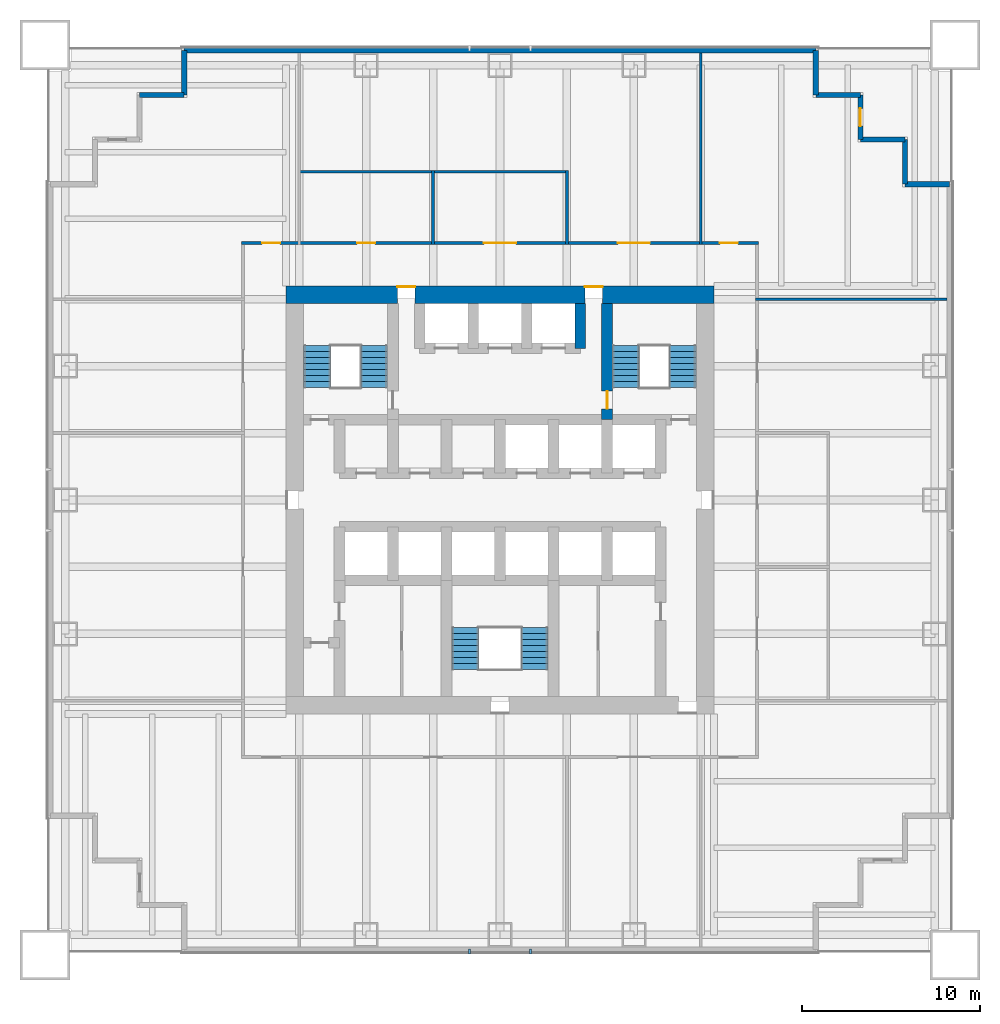
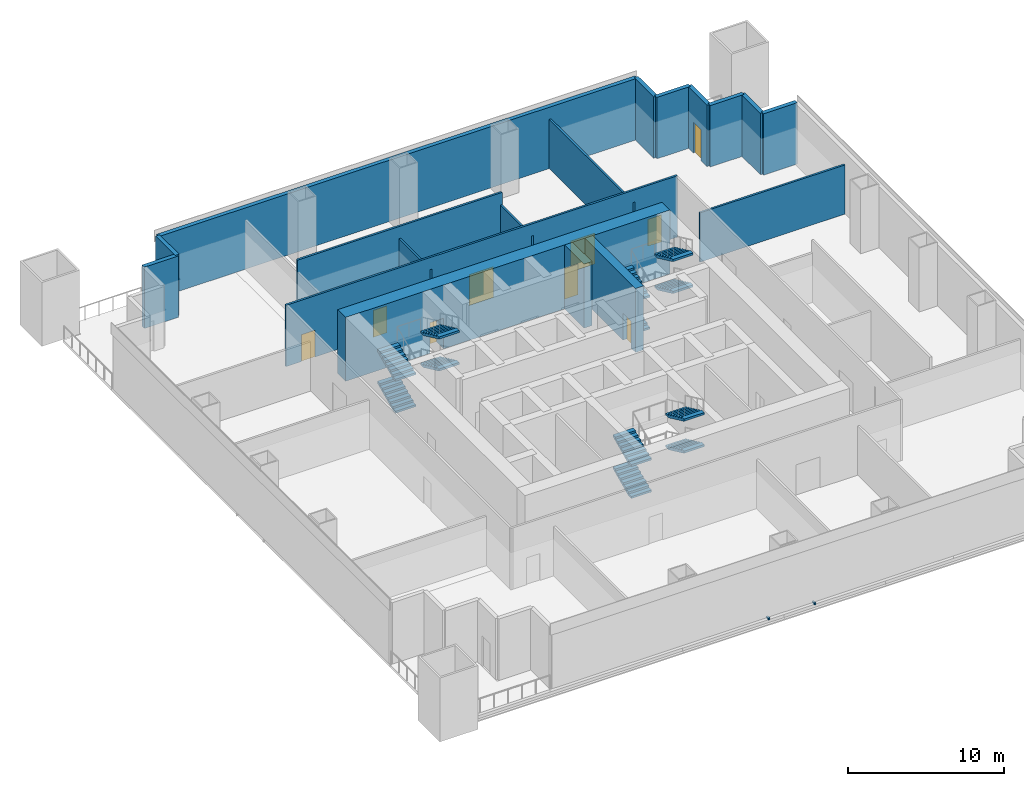
# One storey, part 4 of 7: 18 walls, 12 stair flights, 9 doors, 2 discrete accessories, 9 openings, 3 elements without a shape of their own.
"""IFC4 building model written with IfcOpenShell, lengths in metres."""

from ifc_helpers import new_model, si_unit, direction, frame, frame_2d, origin, origin_2d, place, context, subcontext, project, spatial, polyline, rectangle, outline, extrude, material, layer, layer_set, type_object, element, fill, aggregate, save


model = new_model("IFC4")

# Units and contexts
model_context = context("Model", 3, precision=1e-05, world=origin(), true_north=direction((0.0, 1.0)))
body_context = subcontext(model_context, "Body", "Model", "MODEL_VIEW")
ifc_project = project(units=[si_unit("LENGTHUNIT", "METRE"), si_unit("AREAUNIT", "SQUARE_METRE"), si_unit("VOLUMEUNIT", "CUBIC_METRE"), si_unit("PLANEANGLEUNIT", "RADIAN"), si_unit("MASSUNIT", "GRAM", prefix="KILO")], contexts=[model_context])

# Site, building, storey
site_placement = place(None, origin())
site = spatial("IfcSite", under=ifc_project, at=site_placement, CompositionType="ELEMENT")
building_placement = place(site_placement, origin())
building = spatial("IfcBuilding", under=site, at=building_placement, Name="Tarangal Relay Tower", CompositionType="ELEMENT")
storey_placement = place(building_placement, frame((0.0, 0.0, 43.39990234375)))
storey = spatial("IfcBuildingStorey", under=building, at=storey_placement, Name="L08", CompositionType="ELEMENT", Elevation=43.39990234375)

# Wall, opening, door
ifc_material_1 = material(Name="Concrete fc' 60 MPa", Category="concrete")
ifc_layer_1 = layer(ifc_material_1, 0.60009765625)
ifc_layer_set_1 = layer_set([ifc_layer_1], Name="Core inner wall 600")
wall_type_1 = type_object("IfcWallType", Name="Core inner wall 600", PredefinedType="SHEAR", material=ifc_layer_set_1)
wall_1_placement = place(storey_placement, frame((6.0, 4.5, 0.0), z_axis=(0.0, 0.0, 1.0), x_axis=(0.0, 1.0, 0.0)))
wall_1 = element("IfcWall", 1, at=wall_1_placement, inside=storey, type_object=wall_type_1, Name="Core wall X6 L08", PredefinedType="SHEAR", context=body_context, shape_type="SweptSolid", body=[
    extrude(rectangle(XDim=6.5, YDim=0.60009765625, at=frame_2d((3.25, 0.0))), origin(), (0.0, 0.0, 1.0), 5.0),
])
opening_1_placement = place(wall_1_placement, frame((0.60009765625, 0.0, 0.0)))
opening_1 = element("IfcOpeningElement", 2, at=opening_1_placement, cuts=wall_1, Name="Opening FD1", PredefinedType="OPENING", context=body_context, shape_type="SweptSolid", body=[
    extrude(rectangle(XDim=1.0, YDim=2.10009765625, at=frame_2d((0.5, 1.050048828125))), frame((0.0, 0.31005859375, 0.0), z_axis=(0.0, -1.0, 0.0), x_axis=(1.0, 0.0, 0.0)), (0.0, 0.0, 1.0), 0.6201171875),
])
ifc_material_2 = material(Name="Steel door with hardwood frame", Category="steel")
door_type_1 = type_object("IfcDoorType", Name="Fire door 1000 x 2100", OperationType="SINGLE_SWING_LEFT", PredefinedType="DOOR", material=ifc_material_2)
door_1_placement = place(opening_1_placement, origin())
door_1 = element("IfcDoor", 3, at=door_1_placement, inside=storey, type_object=door_type_1, Name="Stair ST-B door from fire-fighting lobby L08", OperationType="SINGLE_SWING_LEFT", OverallHeight=2.10009765625, OverallWidth=1.0, PredefinedType="DOOR", context=body_context, shape_type="SweptSolid", body=[
    extrude(rectangle(XDim=1.0, YDim=2.10009765625, at=frame_2d((0.5, 1.050048828125))), frame((0.0, 0.02490234375, 0.0), z_axis=(0.0, -1.0, 0.0), x_axis=(1.0, 0.0, 0.0)), (0.0, 0.0, 1.0), 0.050048828125),
])
fill(opening_1, door_1)

# Wall
wall_2_placement = place(storey_placement, frame((4.5, 8.5, 0.0), z_axis=(0.0, 0.0, 1.0), x_axis=(0.0, 1.0, 0.0)))
element("IfcWall", 4, at=wall_2_placement, inside=storey, type_object=wall_type_1, Name="Core wall X45 L08", PredefinedType="SHEAR", context=body_context, shape_type="SweptSolid", body=[
    extrude(rectangle(XDim=2.5, YDim=0.60009765625, at=frame_2d((1.25, 0.0))), origin(), (0.0, 0.0, 1.0), 5.0),
])

# Wall, openings, doors
ifc_layer_2 = layer(ifc_material_1, 1.0)
ifc_layer_set_2 = layer_set([ifc_layer_2], Name="Core wall 1000")
wall_type_2 = type_object("IfcWallType", Name="Core wall 1000", PredefinedType="SHEAR", material=ifc_layer_set_2)
wall_3_placement = place(storey_placement, frame((-12.0, 11.5, 0.0), z_axis=(0.0, 0.0, 1.0), x_axis=(1.0, 0.0, 0.0)))
wall_3 = element("IfcWall", 5, at=wall_3_placement, inside=storey, type_object=wall_type_2, Name="Core wall N L08", PredefinedType="SHEAR", context=body_context, shape_type="SweptSolid", body=[
    extrude(rectangle(XDim=24.0, YDim=1.0, at=frame_2d((12.0, 0.0))), origin(), (0.0, 0.0, 1.0), 5.0),
])
opening_2_placement = place(wall_3_placement, frame((6.25, 0.0, 0.0)))
opening_2 = element("IfcOpeningElement", 6, at=opening_2_placement, cuts=wall_3, Name="Opening FD3", PredefinedType="OPENING", context=body_context, shape_type="SweptSolid", body=[
    extrude(rectangle(XDim=1.0, YDim=2.39990234375, at=frame_2d((0.5, 1.199951171875))), frame((0.0, 0.510009765625, 0.0), z_axis=(0.0, -1.0, 0.0), x_axis=(1.0, 0.0, 0.0)), (0.0, 0.0, 1.0), 1.02001953125),
])
opening_3_placement = place(wall_3_placement, frame((16.75, 0.0, 0.0)))
opening_3 = element("IfcOpeningElement", 7, at=opening_3_placement, cuts=wall_3, Name="Opening FD3", PredefinedType="OPENING", context=body_context, shape_type="SweptSolid", body=[
    extrude(rectangle(XDim=1.0, YDim=2.39990234375, at=frame_2d((0.5, 1.199951171875))), frame((0.0, 0.510009765625, 0.0), z_axis=(0.0, -1.0, 0.0), x_axis=(1.0, 0.0, 0.0)), (0.0, 0.0, 1.0), 1.02001953125),
])
door_type_2 = type_object("IfcDoorType", Name="Fire door 1000 x 2400 core entry", OperationType="SINGLE_SWING_RIGHT", PredefinedType="DOOR", material=ifc_material_2)
door_2_placement = place(opening_2_placement, origin())
door_2 = element("IfcDoor", 8, at=door_2_placement, inside=storey, type_object=door_type_2, Name="Core entry door north west L08", OperationType="SINGLE_SWING_RIGHT", OverallHeight=2.39990234375, OverallWidth=1.0, PredefinedType="DOOR", context=body_context, shape_type="SweptSolid", body=[
    extrude(rectangle(XDim=1.0, YDim=2.39990234375, at=frame_2d((0.5, 1.199951171875))), frame((0.0, 0.48486328125, 0.0), z_axis=(0.0, -1.0, 0.0), x_axis=(1.0, 0.0, 0.0)), (0.0, 0.0, 1.0), 0.050048828125),
])
fill(opening_2, door_2)
door_3_placement = place(opening_3_placement, origin())
door_3 = element("IfcDoor", 9, at=door_3_placement, inside=storey, type_object=door_type_2, Name="Core entry door north east L08", OperationType="SINGLE_SWING_RIGHT", OverallHeight=2.39990234375, OverallWidth=1.0, PredefinedType="DOOR", context=body_context, shape_type="SweptSolid", body=[
    extrude(rectangle(XDim=1.0, YDim=2.39990234375, at=frame_2d((0.5, 1.199951171875))), frame((0.0, 0.48486328125, 0.0), z_axis=(0.0, -1.0, 0.0), x_axis=(1.0, 0.0, 0.0)), (0.0, 0.0, 1.0), 0.050048828125),
])
fill(opening_3, door_3)

# Walls
ifc_material_3 = material(Name="Insulated precast concrete fc' 40 MPa", Category="concrete")
ifc_layer_3 = layer(ifc_material_3, 0.300048828125)
ifc_layer_set_3 = layer_set([ifc_layer_3], Name="Insulated precast concrete fc' 40 MPa")
wall_type_3 = type_object("IfcWallType", Name="Facade wall precast 300", PredefinedType="SOLIDWALL", material=ifc_layer_set_3)
wall_4_placement = place(storey_placement, frame((-17.699951171875, 25.199951171875, 0.0), z_axis=(0.0, 0.0, 1.0), x_axis=(1.0, 0.0, 0.0)))
element("IfcWall", 10, at=wall_4_placement, inside=storey, type_object=wall_type_3, Name="Facade wall N facade L08", PredefinedType="SOLIDWALL", context=body_context, shape_type="SweptSolid", body=[
    extrude(rectangle(XDim=35.39990234375, YDim=0.300048828125, at=frame_2d((17.699951171875, 0.0))), origin(), (0.0, 0.0, 1.0), 4.800048828125),
])
for number, where, z_axis, x_axis, name in (
    (11, (17.699951171875, 25.199951171875, 0.0), (0.0, 0.0, 1.0), (0.0, -1.0, 0.0), "Facade wall N facade L08"),
    (12, (17.699951171875, 22.699951171875, 0.0), (0.0, 0.0, 1.0), (1.0, 0.0, 0.0), "Facade wall N facade L08"),
):
    element("IfcWall", number, at=place(storey_placement, frame(where, z_axis=z_axis, x_axis=x_axis)), inside=storey, type_object=wall_type_3, Name=name, PredefinedType="SOLIDWALL", context=body_context, shape_type="SweptSolid", body=[
        extrude(rectangle(XDim=2.5, YDim=0.300048828125, at=frame_2d((1.25, 0.0))), origin(), (0.0, 0.0, 1.0), 4.800048828125),
    ])

# Wall, opening, door
wall_5_placement = place(storey_placement, frame((20.199951171875, 22.699951171875, 0.0), z_axis=(0.0, 0.0, 1.0), x_axis=(0.0, -1.0, 0.0)))
wall_5 = element("IfcWall", 13, at=wall_5_placement, inside=storey, type_object=wall_type_3, Name="Facade wall N facade L08", PredefinedType="SOLIDWALL", context=body_context, shape_type="SweptSolid", body=[
    extrude(rectangle(XDim=2.5, YDim=0.300048828125, at=frame_2d((1.25, 0.0))), origin(), (0.0, 0.0, 1.0), 4.800048828125),
])
opening_4_placement = place(wall_5_placement, frame((0.75, 0.0, 0.0)))
opening_4 = element("IfcOpeningElement", 14, at=opening_4_placement, cuts=wall_5, Name="Opening TD1", PredefinedType="OPENING", context=body_context, shape_type="SweptSolid", body=[
    extrude(rectangle(XDim=1.0, YDim=2.39990234375, at=frame_2d((0.5, 1.199951171875))), frame((0.0, 0.159912109375, 0.0), z_axis=(0.0, -1.0, 0.0), x_axis=(1.0, 0.0, 0.0)), (0.0, 0.0, 1.0), 0.320068359375),
])
ifc_material_4 = material(Name="Aluminium glazed door", Category="aluminium")
door_type_3 = type_object("IfcDoorType", Name="Terrace door 1000 x 2400", OperationType="SINGLE_SWING_RIGHT", PredefinedType="DOOR", material=ifc_material_4)
door_4_placement = place(opening_4_placement, origin())
door_4 = element("IfcDoor", 15, at=door_4_placement, inside=storey, type_object=door_type_3, Name="Terrace door TD1 NE L08", OperationType="SINGLE_SWING_RIGHT", OverallHeight=2.39990234375, OverallWidth=1.0, PredefinedType="DOOR", context=body_context, shape_type="SweptSolid", body=[
    extrude(rectangle(XDim=1.0, YDim=2.39990234375, at=frame_2d((0.5, 1.199951171875))), frame((0.0, 0.02490234375, 0.0), z_axis=(0.0, -1.0, 0.0), x_axis=(1.0, 0.0, 0.0)), (0.0, 0.0, 1.0), 0.050048828125),
])
fill(opening_4, door_4)

# Walls
for number, where, z_axis, x_axis, name in (
    (16, (20.199951171875, 20.199951171875, 0.0), (0.0, 0.0, 1.0), (1.0, 0.0, 0.0), "Facade wall N facade L08"),
    (17, (22.699951171875, 20.199951171875, 0.0), (0.0, 0.0, 1.0), (0.0, -1.0, 0.0), "Facade wall N facade L08"),
    (18, (22.699951171875, 17.699951171875, 0.0), (0.0, 0.0, 1.0), (1.0, 0.0, 0.0), "Facade wall N facade L08"),
    (19, (-20.199951171875, 22.699951171875, 0.0), (0.0, 0.0, 1.0), (1.0, 0.0, 0.0), "Facade wall W facade L08"),
    (20, (-17.699951171875, 22.699951171875, 0.0), (0.0, 0.0, 1.0), (0.0, 1.0, 0.0), "Facade wall W facade L08"),
):
    element("IfcWall", number, at=place(storey_placement, frame(where, z_axis=z_axis, x_axis=x_axis)), inside=storey, type_object=wall_type_3, Name=name, PredefinedType="SOLIDWALL", context=body_context, shape_type="SweptSolid", body=[
        extrude(rectangle(XDim=2.5, YDim=0.300048828125, at=frame_2d((1.25, 0.0))), origin(), (0.0, 0.0, 1.0), 4.800048828125),
    ])
ifc_material_5 = material(Name="Gypsum board on steel studs", Category="steel")
ifc_layer_4 = layer(ifc_material_5, 0.14990234375)
ifc_layer_set_4 = layer_set([ifc_layer_4], Name="Partition 150")
wall_type_4 = type_object("IfcWallType", Name="Partition 150", PredefinedType="PARTITIONING", material=ifc_layer_set_4)
wall_6_placement = place(storey_placement, frame((14.324951171875, 11.25, 0.0), z_axis=(0.0, 0.0, 1.0), x_axis=(1.0, 0.0, 0.0)))
element("IfcWall", 21, at=wall_6_placement, inside=storey, type_object=wall_type_4, Name="Partition PT1 L08", PredefinedType="PARTITIONING", context=body_context, shape_type="SweptSolid", body=[
    extrude(rectangle(XDim=10.72509765625, YDim=0.14990234375, at=frame_2d((5.362548828125, 0.0))), origin(), (0.0, 0.0, 1.0), 3.852783203125),
])

# Wall, openings, doors
wall_7_placement = place(storey_placement, frame((-14.47509765625, 14.39990234375, 0.0), z_axis=(0.0, 0.0, 1.0), x_axis=(1.0, 0.0, 0.0)))
wall_7 = element("IfcWall", 22, at=wall_7_placement, inside=storey, type_object=wall_type_4, Name="Partition PT1 L08", PredefinedType="PARTITIONING", context=body_context, shape_type="SweptSolid", body=[
    extrude(rectangle(XDim=28.9501953125, YDim=0.14990234375, at=frame_2d((14.47509765625, 0.0))), origin(), (0.0, 0.0, 1.0), 4.800048828125),
])
opening_5_placement = place(wall_7_placement, frame((6.47509765625, 0.0, 0.0)))
opening_5 = element("IfcOpeningElement", 23, at=opening_5_placement, cuts=wall_7, Name="Opening D2", PredefinedType="OPENING", context=body_context, shape_type="SweptSolid", body=[
    extrude(rectangle(XDim=1.0, YDim=2.10009765625, at=frame_2d((0.5, 1.050048828125))), frame((0.0, 0.0849609375, 0.0), z_axis=(0.0, -1.0, 0.0), x_axis=(1.0, 0.0, 0.0)), (0.0, 0.0, 1.0), 0.169921875),
])
opening_6_placement = place(wall_7_placement, frame((21.074951171875, 0.0, 0.0)))
opening_6 = element("IfcOpeningElement", 24, at=opening_6_placement, cuts=wall_7, Name="Opening DD1", PredefinedType="OPENING", context=body_context, shape_type="SweptSolid", body=[
    extrude(rectangle(XDim=1.800048828125, YDim=2.39990234375, at=frame_2d((0.89990234375, 1.199951171875))), frame((0.0, 0.0849609375, 0.0), z_axis=(0.0, -1.0, 0.0), x_axis=(1.0, 0.0, 0.0)), (0.0, 0.0, 1.0), 0.169921875),
])
opening_7_placement = place(wall_7_placement, frame((13.574951171875, 0.0, 0.0)))
opening_7 = element("IfcOpeningElement", 25, at=opening_7_placement, cuts=wall_7, Name="Opening DD1", PredefinedType="OPENING", context=body_context, shape_type="SweptSolid", body=[
    extrude(rectangle(XDim=1.800048828125, YDim=2.39990234375, at=frame_2d((0.89990234375, 1.199951171875))), frame((0.0, 0.0849609375, 0.0), z_axis=(0.0, -1.0, 0.0), x_axis=(1.0, 0.0, 0.0)), (0.0, 0.0, 1.0), 0.169921875),
])
opening_8_placement = place(wall_7_placement, frame((26.800048828125, 0.0, 0.0)))
opening_8 = element("IfcOpeningElement", 26, at=opening_8_placement, cuts=wall_7, Name="Opening D2", PredefinedType="OPENING", context=body_context, shape_type="SweptSolid", body=[
    extrude(rectangle(XDim=1.0, YDim=2.10009765625, at=frame_2d((0.5, 1.050048828125))), frame((0.0, 0.0849609375, 0.0), z_axis=(0.0, -1.0, 0.0), x_axis=(1.0, 0.0, 0.0)), (0.0, 0.0, 1.0), 0.169921875),
])
opening_9_placement = place(wall_7_placement, frame((1.14990234375, 0.0, 0.0)))
opening_9 = element("IfcOpeningElement", 27, at=opening_9_placement, cuts=wall_7, Name="Opening D2", PredefinedType="OPENING", context=body_context, shape_type="SweptSolid", body=[
    extrude(rectangle(XDim=1.0, YDim=2.10009765625, at=frame_2d((0.5, 1.050048828125))), frame((0.0, 0.0849609375, 0.0), z_axis=(0.0, -1.0, 0.0), x_axis=(1.0, 0.0, 0.0)), (0.0, 0.0, 1.0), 0.169921875),
])
ifc_material_6 = material(Name="Hardwood door", Category="wood")
door_type_4 = type_object("IfcDoorType", Name="Door 1000 x 2100", OperationType="SINGLE_SWING_LEFT", PredefinedType="DOOR", material=ifc_material_6)
door_5_placement = place(opening_5_placement, origin())
door_5 = element("IfcDoor", 28, at=door_5_placement, inside=storey, type_object=door_type_4, Name="Door D2 to customer meeting room L08-02", OperationType="SINGLE_SWING_LEFT", OverallHeight=2.10009765625, OverallWidth=1.0, PredefinedType="DOOR", context=body_context, shape_type="SweptSolid", body=[
    extrude(rectangle(XDim=1.0, YDim=2.10009765625, at=frame_2d((0.5, 1.050048828125))), frame((0.0, 0.02490234375, 0.0), z_axis=(0.0, -1.0, 0.0), x_axis=(1.0, 0.0, 0.0)), (0.0, 0.0, 1.0), 0.050048828125),
])
fill(opening_5, door_5)
door_6_placement = place(opening_8_placement, origin())
door_6 = element("IfcDoor", 29, at=door_6_placement, inside=storey, type_object=door_type_4, Name="Door D2 to customer office L08-12", OperationType="SINGLE_SWING_LEFT", OverallHeight=2.10009765625, OverallWidth=1.0, PredefinedType="DOOR", context=body_context, shape_type="SweptSolid", body=[
    extrude(rectangle(XDim=1.0, YDim=2.10009765625, at=frame_2d((0.5, 1.050048828125))), frame((0.0, 0.02490234375, 0.0), z_axis=(0.0, -1.0, 0.0), x_axis=(1.0, 0.0, 0.0)), (0.0, 0.0, 1.0), 0.050048828125),
])
fill(opening_8, door_6)
door_7_placement = place(opening_9_placement, origin())
door_7 = element("IfcDoor", 30, at=door_7_placement, inside=storey, type_object=door_type_4, Name="Door D2 to network operations room L08-15", OperationType="SINGLE_SWING_LEFT", OverallHeight=2.10009765625, OverallWidth=1.0, PredefinedType="DOOR", context=body_context, shape_type="SweptSolid", body=[
    extrude(rectangle(XDim=1.0, YDim=2.10009765625, at=frame_2d((0.5, 1.050048828125))), frame((0.0, 0.02490234375, 0.0), z_axis=(0.0, -1.0, 0.0), x_axis=(1.0, 0.0, 0.0)), (0.0, 0.0, 1.0), 0.050048828125),
])
fill(opening_9, door_7)
door_type_5 = type_object("IfcDoorType", Name="Equipment double door 1800 x 2400", OperationType="DOUBLE_DOOR_SINGLE_SWING", PredefinedType="DOOR", material=ifc_material_2)
door_8_placement = place(opening_6_placement, origin())
door_8 = element("IfcDoor", 31, at=door_8_placement, inside=storey, type_object=door_type_5, Name="Door DD1 to data hall L08-03", OperationType="DOUBLE_DOOR_SINGLE_SWING", OverallHeight=2.39990234375, OverallWidth=1.800048828125, PredefinedType="DOOR", context=body_context, shape_type="SweptSolid", body=[
    extrude(rectangle(XDim=1.800048828125, YDim=2.39990234375, at=frame_2d((0.89990234375, 1.199951171875))), frame((0.0, 0.02490234375, 0.0), z_axis=(0.0, -1.0, 0.0), x_axis=(1.0, 0.0, 0.0)), (0.0, 0.0, 1.0), 0.050048828125),
])
fill(opening_6, door_8)
door_9_placement = place(opening_7_placement, origin())
door_9 = element("IfcDoor", 32, at=door_9_placement, inside=storey, type_object=door_type_5, Name="Door DD1 to network equipment room L08-04", OperationType="DOUBLE_DOOR_SINGLE_SWING", OverallHeight=2.39990234375, OverallWidth=1.800048828125, PredefinedType="DOOR", context=body_context, shape_type="SweptSolid", body=[
    extrude(rectangle(XDim=1.800048828125, YDim=2.39990234375, at=frame_2d((0.89990234375, 1.199951171875))), frame((0.0, 0.02490234375, 0.0), z_axis=(0.0, -1.0, 0.0), x_axis=(1.0, 0.0, 0.0)), (0.0, 0.0, 1.0), 0.050048828125),
])
fill(opening_7, door_9)

# Walls
wall_8_placement = place(storey_placement, frame((-11.324951171875, 18.39990234375, 0.0), z_axis=(0.0, 0.0, 1.0), x_axis=(1.0, 0.0, 0.0)))
element("IfcWall", 33, at=wall_8_placement, inside=storey, type_object=wall_type_4, Name="Partition PT1 L08", PredefinedType="PARTITIONING", context=body_context, shape_type="SweptSolid", body=[
    extrude(rectangle(XDim=15.14990234375, YDim=0.14990234375, at=frame_2d((7.574951171875, 0.0))), origin(), (0.0, 0.0, 1.0), 4.800048828125),
])
for number, where, z_axis, x_axis, name in (
    (34, (-3.75, 14.324951171875, 0.0), (0.0, 0.0, 1.0), (0.0, 1.0, 0.0), "Partition PT1 L08"),
    (35, (3.75, 14.324951171875, 0.0), (0.0, 0.0, 1.0), (0.0, 1.0, 0.0), "Partition PT1 L08"),
):
    element("IfcWall", number, at=place(storey_placement, frame(where, z_axis=z_axis, x_axis=x_axis)), inside=storey, type_object=wall_type_4, Name=name, PredefinedType="PARTITIONING", context=body_context, shape_type="SweptSolid", body=[
        extrude(rectangle(XDim=4.150146484375, YDim=0.14990234375, at=frame_2d((2.0751953125, 0.0))), origin(), (0.0, 0.0, 1.0), 3.852783203125),
    ])
wall_9_placement = place(storey_placement, frame((11.25, 14.324951171875, 0.0), z_axis=(0.0, 0.0, 1.0), x_axis=(0.0, 1.0, 0.0)))
element("IfcWall", 36, at=wall_9_placement, inside=storey, type_object=wall_type_4, Name="Partition PT1 L08", PredefinedType="PARTITIONING", context=body_context, shape_type="SweptSolid", body=[
    extrude(rectangle(XDim=10.72509765625, YDim=0.14990234375, at=frame_2d((5.362548828125, 0.0))), origin(), (0.0, 0.0, 1.0), 3.852783203125),
])

# Stair, stair flights
ifc_material_7 = material(Name="Steel ASTM A992 stair flight", Category="steel")
stair_type = type_object("IfcStairType", Name="Core stair 1500", PredefinedType="HALF_TURN_STAIR", material=ifc_material_7)
stair_1_placement = place(storey_placement, origin())
stair_1 = element("IfcStair", 37, at=stair_1_placement, inside=storey, type_object=stair_type, Name="Stair ST-A L08", PredefinedType="HALF_TURN_STAIR")
stair_flight_type = type_object("IfcStairFlightType", Name="Steel stair flight 1500, 8 risers 156 x 335", PredefinedType="STRAIGHT", material=ifc_material_7)
stair_flight_1_placement = place(storey_placement, frame((-10.25, 6.300048828125, 0.0), z_axis=(0.0, 0.0, 1.0), x_axis=(0.0, 1.0, 0.0)))
stair_flight_1 = element("IfcStairFlight", 38, at=stair_flight_1_placement, type_object=stair_flight_type, Name="ST-A flight 1", NumberOfRisers=8, NumberOfTreads=7, PredefinedType="STRAIGHT", RiserHeight=0.15625, TreadLength=0.335, context=body_context, shape_type="SweptSolid", body=[
    extrude(outline(polyline([(0.0, 0.0), (0.0, 0.15625), (0.3349609375, 0.15625), (0.3349609375, 0.3125), (0.669921875, 0.3125), (0.669921875, 0.46875), (1.0048828125, 0.46875), (1.0048828125, 0.625), (1.340087890625, 0.625), (1.340087890625, 0.78125), (1.675048828125, 0.78125), (1.675048828125, 0.9375), (2.010009765625, 0.9375), (2.010009765625, 1.09375), (2.344970703125, 1.09375), (2.344970703125, 1.25), (2.344970703125, 0.92822265625), (0.354736328125, 0.0), (0.0, 0.0)])), frame((0.0, 0.75, 0.0), z_axis=(0.0, -1.0, 0.0), x_axis=(1.0, 0.0, 0.0)), (0.0, 0.0, 1.0), 1.5),
])
stair_flight_2_placement = place(storey_placement, frame((-7.050048828125, 8.64501953125, 1.25), z_axis=(0.0, 0.0, 1.0), x_axis=(0.0, -1.0, 0.0)))
stair_flight_2 = element("IfcStairFlight", 39, at=stair_flight_2_placement, type_object=stair_flight_type, Name="ST-A flight 2", NumberOfRisers=8, NumberOfTreads=7, PredefinedType="STRAIGHT", RiserHeight=0.15625, TreadLength=0.335, context=body_context, shape_type="SweptSolid", body=[
    extrude(outline(polyline([(0.0, 0.0), (0.0, 0.15625), (0.3349609375, 0.15625), (0.3349609375, 0.3125), (0.669921875, 0.3125), (0.669921875, 0.46875), (1.0048828125, 0.46875), (1.0048828125, 0.625), (1.340087890625, 0.625), (1.340087890625, 0.78125), (1.675048828125, 0.78125), (1.675048828125, 0.9375), (2.010009765625, 0.9375), (2.010009765625, 1.09375), (2.344970703125, 1.09375), (2.344970703125, 1.25), (2.344970703125, 0.92822265625), (0.354736328125, 0.0), (0.0, 0.0)])), frame((0.0, 0.75, 0.0), z_axis=(0.0, -1.0, 0.0), x_axis=(1.0, 0.0, 0.0)), (0.0, 0.0, 1.0), 1.5),
])
stair_flight_3_placement = place(storey_placement, frame((-10.25, 6.300048828125, 2.5), z_axis=(0.0, 0.0, 1.0), x_axis=(0.0, 1.0, 0.0)))
stair_flight_3 = element("IfcStairFlight", 40, at=stair_flight_3_placement, type_object=stair_flight_type, Name="ST-A flight 3", NumberOfRisers=8, NumberOfTreads=7, PredefinedType="STRAIGHT", RiserHeight=0.15625, TreadLength=0.335, context=body_context, shape_type="SweptSolid", body=[
    extrude(outline(polyline([(0.0, 0.0), (0.0, 0.15625), (0.3349609375, 0.15625), (0.3349609375, 0.3125), (0.669921875, 0.3125), (0.669921875, 0.46875), (1.0048828125, 0.46875), (1.0048828125, 0.625), (1.340087890625, 0.625), (1.340087890625, 0.78125), (1.675048828125, 0.78125), (1.675048828125, 0.9375), (2.010009765625, 0.9375), (2.010009765625, 1.09375), (2.344970703125, 1.09375), (2.344970703125, 1.25), (2.344970703125, 0.92822265625), (0.354736328125, 0.0), (0.0, 0.0)])), frame((0.0, 0.75, 0.0), z_axis=(0.0, -1.0, 0.0), x_axis=(1.0, 0.0, 0.0)), (0.0, 0.0, 1.0), 1.5),
])
stair_flight_4_placement = place(storey_placement, frame((-7.050048828125, 8.64501953125, 3.75), z_axis=(0.0, 0.0, 1.0), x_axis=(0.0, -1.0, 0.0)))
stair_flight_4 = element("IfcStairFlight", 41, at=stair_flight_4_placement, type_object=stair_flight_type, Name="ST-A flight 4", NumberOfRisers=8, NumberOfTreads=7, PredefinedType="STRAIGHT", RiserHeight=0.15625, TreadLength=0.335, context=body_context, shape_type="SweptSolid", body=[
    extrude(outline(polyline([(0.0, 0.0), (0.0, 0.15625), (0.3349609375, 0.15625), (0.3349609375, 0.3125), (0.669921875, 0.3125), (0.669921875, 0.46875), (1.0048828125, 0.46875), (1.0048828125, 0.625), (1.340087890625, 0.625), (1.340087890625, 0.78125), (1.675048828125, 0.78125), (1.675048828125, 0.9375), (2.010009765625, 0.9375), (2.010009765625, 1.09375), (2.344970703125, 1.09375), (2.344970703125, 1.25), (2.344970703125, 0.92822265625), (0.354736328125, 0.0), (0.0, 0.0)])), frame((0.0, 0.75, 0.0), z_axis=(0.0, -1.0, 0.0), x_axis=(1.0, 0.0, 0.0)), (0.0, 0.0, 1.0), 1.5),
])
aggregate(stair_1, [stair_flight_1, stair_flight_2, stair_flight_3, stair_flight_4])

stair_2_placement = place(storey_placement, origin())
stair_2 = element("IfcStair", 42, at=stair_2_placement, inside=storey, type_object=stair_type, Name="Stair ST-B L08", PredefinedType="HALF_TURN_STAIR")
stair_flight_5_placement = place(storey_placement, frame((7.050048828125, 6.300048828125, 0.0), z_axis=(0.0, 0.0, 1.0), x_axis=(0.0, 1.0, 0.0)))
stair_flight_5 = element("IfcStairFlight", 43, at=stair_flight_5_placement, type_object=stair_flight_type, Name="ST-B flight 1", NumberOfRisers=8, NumberOfTreads=7, PredefinedType="STRAIGHT", RiserHeight=0.15625, TreadLength=0.335, context=body_context, shape_type="SweptSolid", body=[
    extrude(outline(polyline([(0.0, 0.0), (0.0, 0.15625), (0.3349609375, 0.15625), (0.3349609375, 0.3125), (0.669921875, 0.3125), (0.669921875, 0.46875), (1.0048828125, 0.46875), (1.0048828125, 0.625), (1.340087890625, 0.625), (1.340087890625, 0.78125), (1.675048828125, 0.78125), (1.675048828125, 0.9375), (2.010009765625, 0.9375), (2.010009765625, 1.09375), (2.344970703125, 1.09375), (2.344970703125, 1.25), (2.344970703125, 0.92822265625), (0.354736328125, 0.0), (0.0, 0.0)])), frame((0.0, 0.75, 0.0), z_axis=(0.0, -1.0, 0.0), x_axis=(1.0, 0.0, 0.0)), (0.0, 0.0, 1.0), 1.5),
])
stair_flight_6_placement = place(storey_placement, frame((10.25, 8.64501953125, 1.25), z_axis=(0.0, 0.0, 1.0), x_axis=(0.0, -1.0, 0.0)))
stair_flight_6 = element("IfcStairFlight", 44, at=stair_flight_6_placement, type_object=stair_flight_type, Name="ST-B flight 2", NumberOfRisers=8, NumberOfTreads=7, PredefinedType="STRAIGHT", RiserHeight=0.15625, TreadLength=0.335, context=body_context, shape_type="SweptSolid", body=[
    extrude(outline(polyline([(0.0, 0.0), (0.0, 0.15625), (0.3349609375, 0.15625), (0.3349609375, 0.3125), (0.669921875, 0.3125), (0.669921875, 0.46875), (1.0048828125, 0.46875), (1.0048828125, 0.625), (1.340087890625, 0.625), (1.340087890625, 0.78125), (1.675048828125, 0.78125), (1.675048828125, 0.9375), (2.010009765625, 0.9375), (2.010009765625, 1.09375), (2.344970703125, 1.09375), (2.344970703125, 1.25), (2.344970703125, 0.92822265625), (0.354736328125, 0.0), (0.0, 0.0)])), frame((0.0, 0.75, 0.0), z_axis=(0.0, -1.0, 0.0), x_axis=(1.0, 0.0, 0.0)), (0.0, 0.0, 1.0), 1.5),
])
stair_flight_7_placement = place(storey_placement, frame((7.050048828125, 6.300048828125, 2.5), z_axis=(0.0, 0.0, 1.0), x_axis=(0.0, 1.0, 0.0)))
stair_flight_7 = element("IfcStairFlight", 45, at=stair_flight_7_placement, type_object=stair_flight_type, Name="ST-B flight 3", NumberOfRisers=8, NumberOfTreads=7, PredefinedType="STRAIGHT", RiserHeight=0.15625, TreadLength=0.335, context=body_context, shape_type="SweptSolid", body=[
    extrude(outline(polyline([(0.0, 0.0), (0.0, 0.15625), (0.3349609375, 0.15625), (0.3349609375, 0.3125), (0.669921875, 0.3125), (0.669921875, 0.46875), (1.0048828125, 0.46875), (1.0048828125, 0.625), (1.340087890625, 0.625), (1.340087890625, 0.78125), (1.675048828125, 0.78125), (1.675048828125, 0.9375), (2.010009765625, 0.9375), (2.010009765625, 1.09375), (2.344970703125, 1.09375), (2.344970703125, 1.25), (2.344970703125, 0.92822265625), (0.354736328125, 0.0), (0.0, 0.0)])), frame((0.0, 0.75, 0.0), z_axis=(0.0, -1.0, 0.0), x_axis=(1.0, 0.0, 0.0)), (0.0, 0.0, 1.0), 1.5),
])
stair_flight_8_placement = place(storey_placement, frame((10.25, 8.64501953125, 3.75), z_axis=(0.0, 0.0, 1.0), x_axis=(0.0, -1.0, 0.0)))
stair_flight_8 = element("IfcStairFlight", 46, at=stair_flight_8_placement, type_object=stair_flight_type, Name="ST-B flight 4", NumberOfRisers=8, NumberOfTreads=7, PredefinedType="STRAIGHT", RiserHeight=0.15625, TreadLength=0.335, context=body_context, shape_type="SweptSolid", body=[
    extrude(outline(polyline([(0.0, 0.0), (0.0, 0.15625), (0.3349609375, 0.15625), (0.3349609375, 0.3125), (0.669921875, 0.3125), (0.669921875, 0.46875), (1.0048828125, 0.46875), (1.0048828125, 0.625), (1.340087890625, 0.625), (1.340087890625, 0.78125), (1.675048828125, 0.78125), (1.675048828125, 0.9375), (2.010009765625, 0.9375), (2.010009765625, 1.09375), (2.344970703125, 1.09375), (2.344970703125, 1.25), (2.344970703125, 0.92822265625), (0.354736328125, 0.0), (0.0, 0.0)])), frame((0.0, 0.75, 0.0), z_axis=(0.0, -1.0, 0.0), x_axis=(1.0, 0.0, 0.0)), (0.0, 0.0, 1.0), 1.5),
])
aggregate(stair_2, [stair_flight_5, stair_flight_6, stair_flight_7, stair_flight_8])

stair_3_placement = place(storey_placement, origin())
stair_3 = element("IfcStair", 47, at=stair_3_placement, inside=storey, type_object=stair_type, Name="Stair ST-C L08", PredefinedType="HALF_TURN_STAIR")
stair_flight_9_placement = place(storey_placement, frame((-1.949951171875, -9.5, 0.0), z_axis=(0.0, 0.0, 1.0), x_axis=(0.0, 1.0, 0.0)))
stair_flight_9 = element("IfcStairFlight", 48, at=stair_flight_9_placement, type_object=stair_flight_type, Name="ST-C flight 1", NumberOfRisers=8, NumberOfTreads=7, PredefinedType="STRAIGHT", RiserHeight=0.15625, TreadLength=0.335, context=body_context, shape_type="SweptSolid", body=[
    extrude(outline(polyline([(0.0, 0.0), (0.0, 0.15625), (0.3349609375, 0.15625), (0.3349609375, 0.3125), (0.669921875, 0.3125), (0.669921875, 0.46875), (1.0048828125, 0.46875), (1.0048828125, 0.625), (1.340087890625, 0.625), (1.340087890625, 0.78125), (1.675048828125, 0.78125), (1.675048828125, 0.9375), (2.010009765625, 0.9375), (2.010009765625, 1.09375), (2.344970703125, 1.09375), (2.344970703125, 1.25), (2.344970703125, 0.92822265625), (0.354736328125, 0.0), (0.0, 0.0)])), frame((0.0, 0.75, 0.0), z_axis=(0.0, -1.0, 0.0), x_axis=(1.0, 0.0, 0.0)), (0.0, 0.0, 1.0), 1.5),
])
stair_flight_10_placement = place(storey_placement, frame((1.949951171875, -7.155029296875, 1.25), z_axis=(0.0, 0.0, 1.0), x_axis=(0.0, -1.0, 0.0)))
stair_flight_10 = element("IfcStairFlight", 49, at=stair_flight_10_placement, type_object=stair_flight_type, Name="ST-C flight 2", NumberOfRisers=8, NumberOfTreads=7, PredefinedType="STRAIGHT", RiserHeight=0.15625, TreadLength=0.335, context=body_context, shape_type="SweptSolid", body=[
    extrude(outline(polyline([(0.0, 0.0), (0.0, 0.15625), (0.3349609375, 0.15625), (0.3349609375, 0.3125), (0.669921875, 0.3125), (0.669921875, 0.46875), (1.0048828125, 0.46875), (1.0048828125, 0.625), (1.340087890625, 0.625), (1.340087890625, 0.78125), (1.675048828125, 0.78125), (1.675048828125, 0.9375), (2.010009765625, 0.9375), (2.010009765625, 1.09375), (2.344970703125, 1.09375), (2.344970703125, 1.25), (2.344970703125, 0.92822265625), (0.354736328125, 0.0), (0.0, 0.0)])), frame((0.0, 0.75, 0.0), z_axis=(0.0, -1.0, 0.0), x_axis=(1.0, 0.0, 0.0)), (0.0, 0.0, 1.0), 1.5),
])
stair_flight_11_placement = place(storey_placement, frame((-1.949951171875, -9.5, 2.5), z_axis=(0.0, 0.0, 1.0), x_axis=(0.0, 1.0, 0.0)))
stair_flight_11 = element("IfcStairFlight", 50, at=stair_flight_11_placement, type_object=stair_flight_type, Name="ST-C flight 3", NumberOfRisers=8, NumberOfTreads=7, PredefinedType="STRAIGHT", RiserHeight=0.15625, TreadLength=0.335, context=body_context, shape_type="SweptSolid", body=[
    extrude(outline(polyline([(0.0, 0.0), (0.0, 0.15625), (0.3349609375, 0.15625), (0.3349609375, 0.3125), (0.669921875, 0.3125), (0.669921875, 0.46875), (1.0048828125, 0.46875), (1.0048828125, 0.625), (1.340087890625, 0.625), (1.340087890625, 0.78125), (1.675048828125, 0.78125), (1.675048828125, 0.9375), (2.010009765625, 0.9375), (2.010009765625, 1.09375), (2.344970703125, 1.09375), (2.344970703125, 1.25), (2.344970703125, 0.92822265625), (0.354736328125, 0.0), (0.0, 0.0)])), frame((0.0, 0.75, 0.0), z_axis=(0.0, -1.0, 0.0), x_axis=(1.0, 0.0, 0.0)), (0.0, 0.0, 1.0), 1.5),
])
stair_flight_12_placement = place(storey_placement, frame((1.949951171875, -7.155029296875, 3.75), z_axis=(0.0, 0.0, 1.0), x_axis=(0.0, -1.0, 0.0)))
stair_flight_12 = element("IfcStairFlight", 51, at=stair_flight_12_placement, type_object=stair_flight_type, Name="ST-C flight 4", NumberOfRisers=8, NumberOfTreads=7, PredefinedType="STRAIGHT", RiserHeight=0.15625, TreadLength=0.335, context=body_context, shape_type="SweptSolid", body=[
    extrude(outline(polyline([(0.0, 0.0), (0.0, 0.15625), (0.3349609375, 0.15625), (0.3349609375, 0.3125), (0.669921875, 0.3125), (0.669921875, 0.46875), (1.0048828125, 0.46875), (1.0048828125, 0.625), (1.340087890625, 0.625), (1.340087890625, 0.78125), (1.675048828125, 0.78125), (1.675048828125, 0.9375), (2.010009765625, 0.9375), (2.010009765625, 1.09375), (2.344970703125, 1.09375), (2.344970703125, 1.25), (2.344970703125, 0.92822265625), (0.354736328125, 0.0), (0.0, 0.0)])), frame((0.0, 0.75, 0.0), z_axis=(0.0, -1.0, 0.0), x_axis=(1.0, 0.0, 0.0)), (0.0, 0.0, 1.0), 1.5),
])
aggregate(stair_3, [stair_flight_9, stair_flight_10, stair_flight_11, stair_flight_12])

# Discrete accessories
ifc_material_8 = material(Name="Steel ASTM A572 Grade 50", Category="steel")
discrete_accessory_type = type_object("IfcDiscreteAccessoryType", Name="Brace crossing restraint BRT1", PredefinedType="BRACKET", material=ifc_material_8)
for number, where, z_axis, x_axis, name in (
    (52, (-1.699951171875, -25.300048828125, -0.1748046875), (0.0, 0.0, 1.0), (1.0, 0.0, 0.0), "Brace crossing restraint BRT1 S L08"),
    (53, (1.699951171875, -25.300048828125, -0.1748046875), (0.0, 0.0, 1.0), (1.0, 0.0, 0.0), "Brace crossing restraint BRT1 S L08"),
):
    element("IfcDiscreteAccessory", number, at=place(storey_placement, frame(where, z_axis=z_axis, x_axis=x_axis)), inside=storey, type_object=discrete_accessory_type, Name=name, PredefinedType="BRACKET", context=body_context, shape_type="SweptSolid", body=[
        extrude(rectangle(XDim=0.1201171875, YDim=0.300048828125, at=origin_2d()), origin(), (0.0, 0.0, 1.0), 0.14990234375),
    ])

save(model, "model.ifc")
